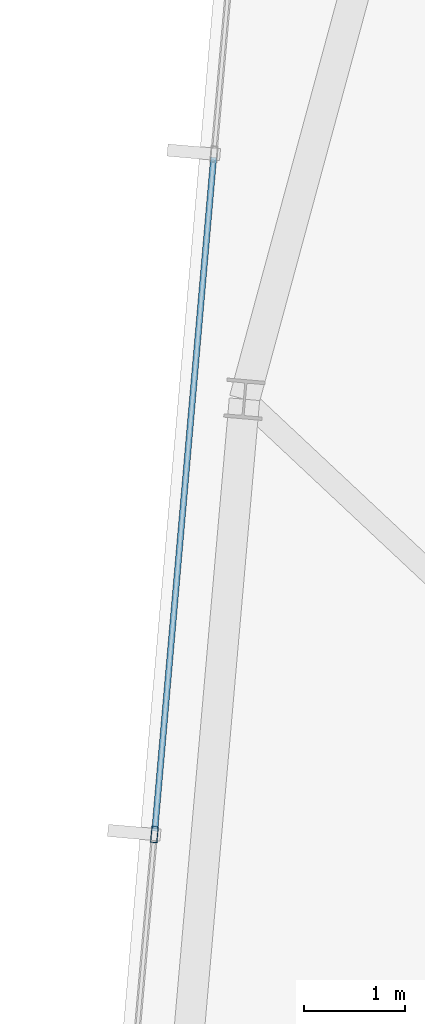
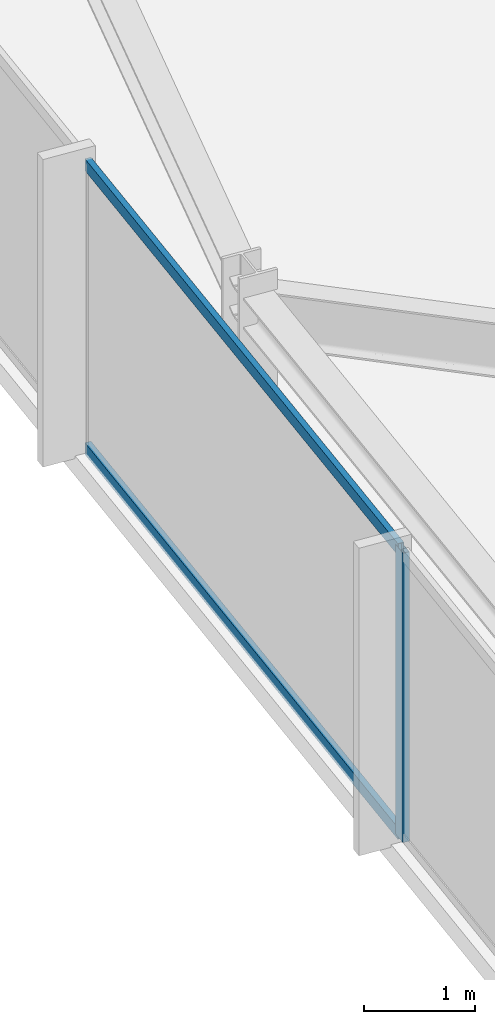
# One storey, part 9 of 32: 3 members, 1 element without a shape of its own.
"""IFC4 building model written with IfcOpenShell, lengths in metres."""

from ifc_helpers import new_model, si_unit, direction, frame, origin, origin_2d, place, context, subcontext, project, spatial, hollow_rectangle, extrude, material, material_profile, profile_set, type_object, element, aggregate, save


model = new_model("IFC4")

# Units and contexts
model_context = context("Model", 3, precision=1e-05, world=origin(), true_north=direction((0.0, 1.0)))
body_context = subcontext(model_context, "Body", "Model", "MODEL_VIEW")
ifc_project = project(units=[si_unit("LENGTHUNIT", "METRE"), si_unit("AREAUNIT", "SQUARE_METRE"), si_unit("VOLUMEUNIT", "CUBIC_METRE"), si_unit("PLANEANGLEUNIT", "RADIAN"), si_unit("MASSUNIT", "GRAM", prefix="KILO")], contexts=[model_context])

# Site, building, storey
site_placement = place(None, origin())
site = spatial("IfcSite", under=ifc_project, at=site_placement, CompositionType="ELEMENT")
building_placement = place(site_placement, origin())
building = spatial("IfcBuilding", under=site, at=building_placement, Name="Yelkora Congress Tower", CompositionType="ELEMENT")
storey_placement = place(building_placement, frame((0.0, 0.0, 262.5)))
storey = spatial("IfcBuildingStorey", under=building, at=storey_placement, Name="L73", CompositionType="ELEMENT", Elevation=262.5)

# Curtain wall, members
ifc_material_1 = material(Name="Anodised aluminium and insulated glass", Category="aluminium")
curtain_wall_type = type_object("IfcCurtainWallType", Name="CW-SYS-B5", PredefinedType="NOTDEFINED", material=ifc_material_1)
curtain_wall_placement = place(storey_placement, origin())
curtain_wall = element("IfcCurtainWall", 1, at=curtain_wall_placement, inside=storey, type_object=curtain_wall_type, Name="L73 Unitised Curtain Wall 5", PredefinedType="NOTDEFINED")
ifc_material_2 = material(Name="Anodised aluminium 6063-T6", Category="aluminium")
ifc_material_profile_1 = material_profile(ifc_material_2, hollow_rectangle(XDim=0.06494140625, YDim=0.159912109375, WallThickness=0.00390625, at=origin_2d()), Name="ALU 65x160x4")
ifc_profile_set_1 = profile_set([ifc_material_profile_1], Name="Anodised aluminium 6063-T6")
member_type_1 = type_object("IfcMemberType", Name="MEM-ML-B5", PredefinedType="MULLION", material=ifc_profile_set_1)
member_1_placement = place(storey_placement, frame((6.900146484375, 35.200927734375, 0.0), z_axis=(0.0, 0.0, 1.0), x_axis=(-0.996194785929, 0.08715473876, 0.0)))
member_1 = element("IfcMember", 2, at=member_1_placement, type_object=member_type_1, Name="CW-B5 mullion 3", PredefinedType="MULLION", context=body_context, shape_type="SweptSolid", body=[
    extrude(hollow_rectangle(XDim=0.06494140625, YDim=0.159912109375, WallThickness=0.00390625, at=origin_2d()), origin(), (0.0, 0.0, 1.0), 3.179931640625),
])
ifc_material_profile_2 = material_profile(ifc_material_2, hollow_rectangle(XDim=0.06005859375, YDim=0.1298828125, WallThickness=0.00390625, at=origin_2d()), Name="ALU 60x130x4")
ifc_profile_set_2 = profile_set([ifc_material_profile_2], Name="Anodised aluminium 6063-T6")
member_type_2 = type_object("IfcMemberType", Name="MEM-TR-B5", PredefinedType="USERDEFINED", material=ifc_profile_set_2)
member_2_placement = place(storey_placement, frame((6.903076171875, 35.2333984375, 0.030029296875), z_axis=(0.087143321513, 0.996195784731, 0.0), x_axis=(-0.996195784731, 0.087143321513, 0.0)))
member_2 = element("IfcMember", 3, at=member_2_placement, type_object=member_type_2, Name="CW-B5 transom 3.1", ObjectType="TRANSOM", PredefinedType="USERDEFINED", context=body_context, shape_type="SweptSolid", body=[
    extrude(hollow_rectangle(XDim=0.06005859375, YDim=0.1298828125, WallThickness=0.00390625, at=origin_2d()), origin(), (0.0, 0.0, 1.0), 6.6650390625),
])
member_3_placement = place(storey_placement, frame((6.903076171875, 35.2333984375, 3.14990234375), z_axis=(0.087143321513, 0.996195784731, 0.0), x_axis=(-0.996195784731, 0.087143321513, 0.0)))
member_3 = element("IfcMember", 4, at=member_3_placement, type_object=member_type_2, Name="CW-B5 transom 3.2", ObjectType="TRANSOM", PredefinedType="USERDEFINED", context=body_context, shape_type="SweptSolid", body=[
    extrude(hollow_rectangle(XDim=0.06005859375, YDim=0.1298828125, WallThickness=0.00390625, at=origin_2d()), origin(), (0.0, 0.0, 1.0), 6.6650390625),
])
aggregate(curtain_wall, [member_1, member_2, member_3])

save(model, "model.ifc")
